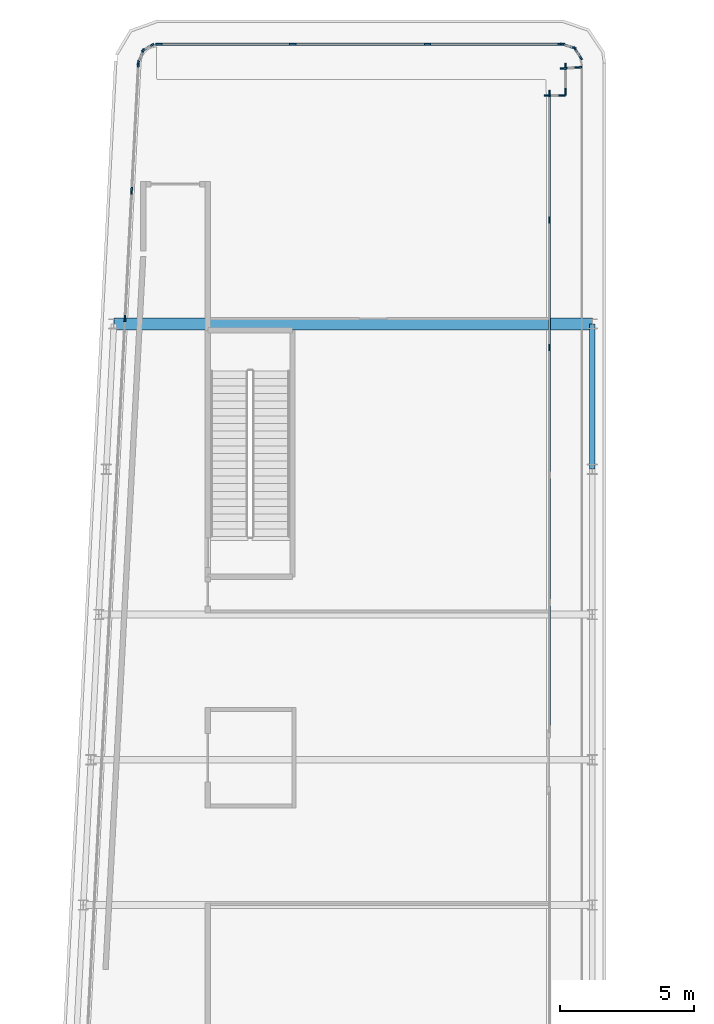
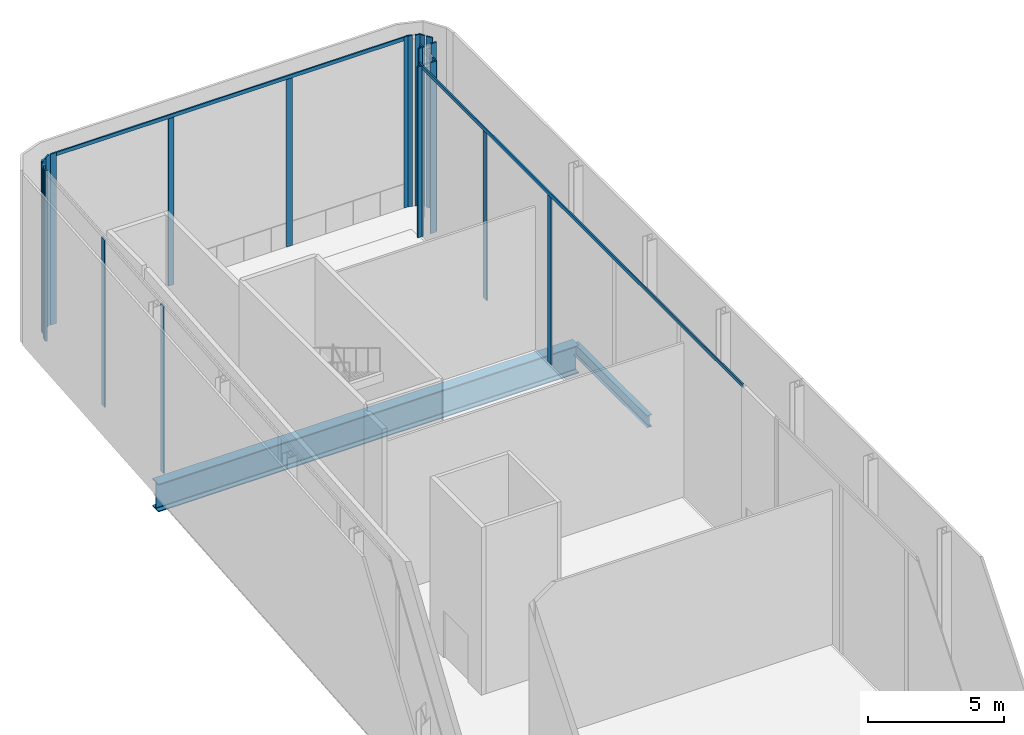
# One storey, part 12 of 28: 26 members, 2 beams, 10 elements without a shape of their own.
"""IFC4 building model written with IfcOpenShell, lengths in metres."""

from ifc_helpers import new_model, si_unit, direction, frame, origin, origin_2d, place, context, subcontext, project, spatial, rectangle, i_section, extrude, material, layer, layer_set, material_profile, profile_set, type_object, element, aggregate, save


model = new_model("IFC4")

# Units and contexts
model_context = context("Model", 3, precision=1e-05, world=origin(), true_north=direction((0.0, 1.0)))
body_context = subcontext(model_context, "Body", "Model", "MODEL_VIEW")
ifc_project = project(units=[si_unit("LENGTHUNIT", "METRE"), si_unit("AREAUNIT", "SQUARE_METRE"), si_unit("VOLUMEUNIT", "CUBIC_METRE"), si_unit("PLANEANGLEUNIT", "RADIAN"), si_unit("MASSUNIT", "GRAM", prefix="KILO")], contexts=[model_context])

# Site, building, storey
site_placement = place(None, origin())
site = spatial("IfcSite", under=ifc_project, at=site_placement, CompositionType="ELEMENT")
building_placement = place(site_placement, origin())
building = spatial("IfcBuilding", under=site, at=building_placement, Name="Kheshtan School and Residences Tower", CompositionType="ELEMENT")
storey_placement = place(building_placement, frame((0.0, 0.0, 325.39990234375)))
storey = spatial("IfcBuildingStorey", under=building, at=storey_placement, Name="L77", CompositionType="ELEMENT", Elevation=325.39990234375)

# Beam
ifc_material_1 = material(Name="Steel ASTM A992 Grade 50", Category="steel")
ifc_material_profile_1 = material_profile(ifc_material_1, i_section(OverallWidth=0.208984375, OverallDepth=0.532958984375, WebThickness=0.01025390625, FlangeThickness=0.015625, FilletRadius=0.013916015625, at=origin_2d()), Name="W530x92")
ifc_profile_set_1 = profile_set([ifc_material_profile_1], Name="Steel ASTM A992 Grade 50")
beam_type_1 = type_object("IfcBeamType", Name="Beam SP3 W530x92 ASTM A992 Grade 50", PredefinedType="BEAM", material=ifc_profile_set_1)
beam_1_placement = place(storey_placement, frame((47.60009765625, 88.800048828125, -0.41650390625), z_axis=(0.0, -1.0, 0.0), x_axis=(1.0, 0.0, 0.0)))
element("IfcBeam", 1, at=beam_1_placement, inside=storey, type_object=beam_type_1, Name="Spandrel beam C099-C091", PredefinedType="BEAM", context=body_context, shape_type="SweptSolid", body=[
    extrude(i_section(OverallWidth=0.208984375, OverallDepth=0.532958984375, WebThickness=0.01025390625, FlangeThickness=0.015625, FilletRadius=0.013916015625, at=origin_2d()), origin(), (0.0, 0.0, 1.0), 5.400146484375),
])

# Curtain wall, members
ifc_material_2 = material(Name="Clear low-e glass in thermally broken aluminium frame", Category="aluminium")
ifc_layer_1 = layer(ifc_material_2, 0.25)
ifc_layer_set_1 = layer_set([ifc_layer_1], Name="Curtain wall CW-G")
curtain_wall_type_1 = type_object("IfcCurtainWallType", Name="Curtain wall CW-G", PredefinedType="NOTDEFINED", material=ifc_layer_set_1)
curtain_wall_1_placement = place(storey_placement, origin())
curtain_wall_1 = element("IfcCurtainWall", 2, at=curtain_wall_1_placement, inside=storey, type_object=curtain_wall_type_1, Name="Curtain wall CWG15", PredefinedType="NOTDEFINED")
ifc_material_3 = material(Name="Thermally broken aluminium, dark bronze anodised", Category="aluminium")
ifc_material_profile_2 = material_profile(ifc_material_3, rectangle(XDim=0.06005859375, YDim=0.25, at=origin_2d()), Name="CW-G mullion 60x250")
ifc_profile_set_2 = profile_set([ifc_material_profile_2], Name="Thermally broken aluminium, dark bronze anodised")
member_type_1 = type_object("IfcMemberType", Name="CW-G mullion 60x250", PredefinedType="MULLION", material=ifc_profile_set_2)
member_1_placement = place(storey_placement, frame((46.0, 97.3701171875, 0.0), z_axis=(0.0, 0.0, 1.0), x_axis=(1.0, 0.0, 0.0)))
member_1 = element("IfcMember", 3, at=member_1_placement, type_object=member_type_1, Name="CWG15 mullion 1", PredefinedType="MULLION", context=body_context, shape_type="SweptSolid", body=[
    extrude(rectangle(XDim=0.06005859375, YDim=0.25, at=origin_2d()), origin(), (0.0, 0.0, 1.0), 7.650146484375),
])
member_2_placement = place(storey_placement, frame((46.0, 92.659912109375, 0.0), z_axis=(0.0, 0.0, 1.0), x_axis=(1.0, 0.0, 0.0)))
member_2 = element("IfcMember", 4, at=member_2_placement, type_object=member_type_1, Name="CWG15 mullion 2", PredefinedType="MULLION", context=body_context, shape_type="SweptSolid", body=[
    extrude(rectangle(XDim=0.06005859375, YDim=0.25, at=origin_2d()), origin(), (0.0, 0.0, 1.0), 7.489990234375),
])
member_3_placement = place(storey_placement, frame((46.0, 87.919921875, 0.0), z_axis=(0.0, 0.0, 1.0), x_axis=(1.0, 0.0, 0.0)))
member_3 = element("IfcMember", 5, at=member_3_placement, type_object=member_type_1, Name="CWG15 mullion 3", PredefinedType="MULLION", context=body_context, shape_type="SweptSolid", body=[
    extrude(rectangle(XDim=0.06005859375, YDim=0.25, at=origin_2d()), origin(), (0.0, 0.0, 1.0), 7.489990234375),
])
ifc_material_profile_3 = material_profile(ifc_material_3, rectangle(XDim=0.06005859375, YDim=0.159912109375, at=origin_2d()), Name="CW-G transom 60x160")
ifc_profile_set_3 = profile_set([ifc_material_profile_3], Name="Thermally broken aluminium, dark bronze anodised")
member_type_2 = type_object("IfcMemberType", Name="CW-G transom 60x160", PredefinedType="USERDEFINED", material=ifc_profile_set_3)
member_4_placement = place(storey_placement, frame((46.0, 97.340087890625, 7.570068359375), z_axis=(0.0, -1.0, 0.0), x_axis=(1.0, 0.0, 0.0)))
member_4 = element("IfcMember", 6, at=member_4_placement, type_object=member_type_2, Name="CWG15 transom 1", ObjectType="TRANSOM", PredefinedType="USERDEFINED", context=body_context, shape_type="SweptSolid", body=[
    extrude(rectangle(XDim=0.06005859375, YDim=0.159912109375, at=origin_2d()), origin(), (0.0, 0.0, 1.0), 23.580078125),
])
aggregate(curtain_wall_1, [member_1, member_2, member_3, member_4])

ifc_layer_2 = layer(ifc_material_2, 0.25)
ifc_layer_set_2 = layer_set([ifc_layer_2], Name="Curtain wall CW-K")
curtain_wall_type_2 = type_object("IfcCurtainWallType", Name="Curtain wall CW-K", PredefinedType="NOTDEFINED", material=ifc_layer_set_2)
curtain_wall_2_placement = place(storey_placement, origin())
curtain_wall_2 = element("IfcCurtainWall", 7, at=curtain_wall_2_placement, inside=storey, type_object=curtain_wall_type_2, Name="Curtain wall CWK6b", PredefinedType="NOTDEFINED")
ifc_material_profile_4 = material_profile(ifc_material_3, rectangle(XDim=0.06005859375, YDim=0.25, at=origin_2d()), Name="CW-K mullion 60x250")
ifc_profile_set_4 = profile_set([ifc_material_profile_4], Name="Thermally broken aluminium, dark bronze anodised")
member_type_3 = type_object("IfcMemberType", Name="CW-K mullion 60x250", PredefinedType="MULLION", material=ifc_profile_set_4)
member_5_placement = place(storey_placement, frame((30.221923828125, 89.001953125, 0.0), z_axis=(0.0, 0.0, 1.0), x_axis=(-0.998617497599, 0.05256513568, 0.0)))
member_5 = element("IfcMember", 8, at=member_5_placement, type_object=member_type_3, Name="CWK6b mullion 13", PredefinedType="MULLION", context=body_context, shape_type="SweptSolid", body=[
    extrude(rectangle(XDim=0.06005859375, YDim=0.25, at=origin_2d()), origin(), (0.0, 0.0, 1.0), 7.489990234375),
])
member_6_placement = place(storey_placement, frame((30.471923828125, 93.754150390625, 0.0), z_axis=(0.0, 0.0, 1.0), x_axis=(-0.998617497599, 0.05256513568, 0.0)))
member_6 = element("IfcMember", 9, at=member_6_placement, type_object=member_type_3, Name="CWK6b mullion 14", PredefinedType="MULLION", context=body_context, shape_type="SweptSolid", body=[
    extrude(rectangle(XDim=0.06005859375, YDim=0.25, at=origin_2d()), origin(), (0.0, 0.0, 1.0), 7.489990234375),
])
member_7_placement = place(storey_placement, frame((30.720458984375, 98.476318359375, 0.0), z_axis=(0.0, 0.0, 1.0), x_axis=(-0.998617497599, 0.05256513568, 0.0)))
member_7 = element("IfcMember", 10, at=member_7_placement, type_object=member_type_3, Name="CWK6b mullion 15", PredefinedType="MULLION", context=body_context, shape_type="SweptSolid", body=[
    extrude(rectangle(XDim=0.06005859375, YDim=0.25, at=origin_2d()), origin(), (0.0, 0.0, 1.0), 7.650146484375),
])
aggregate(curtain_wall_2, [member_5, member_6, member_7])

curtain_wall_3_placement = place(storey_placement, origin())
curtain_wall_3 = element("IfcCurtainWall", 11, at=curtain_wall_3_placement, inside=storey, type_object=curtain_wall_type_2, Name="Curtain wall CWK7b", PredefinedType="NOTDEFINED")
member_8_placement = place(storey_placement, frame((30.740234375, 98.56591796875, 0.0), z_axis=(0.0, 0.0, 1.0), x_axis=(-0.928635523576, 0.370993348125, 0.0)))
member_8 = element("IfcMember", 12, at=member_8_placement, type_object=member_type_3, Name="CWK7b mullion 1", PredefinedType="MULLION", context=body_context, shape_type="SweptSolid", body=[
    extrude(rectangle(XDim=0.06005859375, YDim=0.25, at=origin_2d()), origin(), (0.0, 0.0, 1.0), 7.650146484375),
])
member_9_placement = place(storey_placement, frame((30.87890625, 98.913330078125, 0.0), z_axis=(0.0, 0.0, 1.0), x_axis=(-0.928635523576, 0.370993348125, 0.0)))
member_9 = element("IfcMember", 13, at=member_9_placement, type_object=member_type_3, Name="CWK7b mullion 2", PredefinedType="MULLION", context=body_context, shape_type="SweptSolid", body=[
    extrude(rectangle(XDim=0.06005859375, YDim=0.25, at=origin_2d()), origin(), (0.0, 0.0, 1.0), 7.650146484375),
])
aggregate(curtain_wall_3, [member_8, member_9])

curtain_wall_4_placement = place(storey_placement, origin())
curtain_wall_4 = element("IfcCurtainWall", 14, at=curtain_wall_4_placement, inside=storey, type_object=curtain_wall_type_2, Name="Curtain wall CWK8b", PredefinedType="NOTDEFINED")
member_10_placement = place(storey_placement, frame((30.9560546875, 99.0048828125, 0.0), z_axis=(0.0, 0.0, 1.0), x_axis=(-0.52392646803, 0.851763497749, 0.0)))
member_10 = element("IfcMember", 15, at=member_10_placement, type_object=member_type_3, Name="CWK8b mullion 1", PredefinedType="MULLION", context=body_context, shape_type="SweptSolid", body=[
    extrude(rectangle(XDim=0.06005859375, YDim=0.25, at=origin_2d()), origin(), (0.0, 0.0, 1.0), 7.650146484375),
])
member_11_placement = place(storey_placement, frame((31.18310546875, 99.14453125, 0.0), z_axis=(0.0, 0.0, 1.0), x_axis=(-0.52392646803, 0.851763497749, 0.0)))
member_11 = element("IfcMember", 16, at=member_11_placement, type_object=member_type_3, Name="CWK8b mullion 2", PredefinedType="MULLION", context=body_context, shape_type="SweptSolid", body=[
    extrude(rectangle(XDim=0.06005859375, YDim=0.25, at=origin_2d()), origin(), (0.0, 0.0, 1.0), 7.650146484375),
])
aggregate(curtain_wall_4, [member_10, member_11])

curtain_wall_5_placement = place(storey_placement, origin())
curtain_wall_5 = element("IfcCurtainWall", 17, at=curtain_wall_5_placement, inside=storey, type_object=curtain_wall_type_2, Name="Curtain wall CWK9b", PredefinedType="NOTDEFINED")
member_12_placement = place(storey_placement, frame((31.48388671875, 99.199951171875, 0.0), z_axis=(0.0, 0.0, 1.0), x_axis=(0.0, 1.0, 0.0)))
member_12 = element("IfcMember", 18, at=member_12_placement, type_object=member_type_3, Name="CWK9b mullion 1", PredefinedType="MULLION", context=body_context, shape_type="SweptSolid", body=[
    extrude(rectangle(XDim=0.06005859375, YDim=0.25, at=origin_2d()), origin(), (0.0, 0.0, 1.0), 7.650146484375),
])
member_13_placement = place(storey_placement, frame((36.459228515625, 99.199951171875, 0.0), z_axis=(0.0, 0.0, 1.0), x_axis=(0.0, 1.0, 0.0)))
member_13 = element("IfcMember", 19, at=member_13_placement, type_object=member_type_3, Name="CWK9b mullion 2", PredefinedType="MULLION", context=body_context, shape_type="SweptSolid", body=[
    extrude(rectangle(XDim=0.06005859375, YDim=0.25, at=origin_2d()), origin(), (0.0, 0.0, 1.0), 7.489990234375),
])
member_14_placement = place(storey_placement, frame((41.464599609375, 99.199951171875, 0.0), z_axis=(0.0, 0.0, 1.0), x_axis=(0.0, 1.0, 0.0)))
member_14 = element("IfcMember", 20, at=member_14_placement, type_object=member_type_3, Name="CWK9b mullion 3", PredefinedType="MULLION", context=body_context, shape_type="SweptSolid", body=[
    extrude(rectangle(XDim=0.06005859375, YDim=0.25, at=origin_2d()), origin(), (0.0, 0.0, 1.0), 7.489990234375),
])
member_15_placement = place(storey_placement, frame((46.43994140625, 99.199951171875, 0.0), z_axis=(0.0, 0.0, 1.0), x_axis=(0.0, 1.0, 0.0)))
member_15 = element("IfcMember", 21, at=member_15_placement, type_object=member_type_3, Name="CWK9b mullion 4", PredefinedType="MULLION", context=body_context, shape_type="SweptSolid", body=[
    extrude(rectangle(XDim=0.06005859375, YDim=0.25, at=origin_2d()), origin(), (0.0, 0.0, 1.0), 7.650146484375),
])

curtain_wall_6_placement = place(storey_placement, origin())
curtain_wall_6 = element("IfcCurtainWall", 22, at=curtain_wall_6_placement, inside=storey, type_object=curtain_wall_type_2, Name="Curtain wall CWK10b", PredefinedType="NOTDEFINED")
member_16_placement = place(storey_placement, frame((46.529052734375, 99.18603515625, 0.0), z_axis=(0.0, 0.0, 1.0), x_axis=(0.303900450271, 0.952703792543, 0.0)))
member_16 = element("IfcMember", 23, at=member_16_placement, type_object=member_type_3, Name="CWK10b mullion 1", PredefinedType="MULLION", context=body_context, shape_type="SweptSolid", body=[
    extrude(rectangle(XDim=0.06005859375, YDim=0.25, at=origin_2d()), origin(), (0.0, 0.0, 1.0), 7.650146484375),
])
member_17_placement = place(storey_placement, frame((46.86669921875, 99.078369140625, 0.0), z_axis=(0.0, 0.0, 1.0), x_axis=(0.303900450271, 0.952703792543, 0.0)))
member_17 = element("IfcMember", 24, at=member_17_placement, type_object=member_type_3, Name="CWK10b mullion 2", PredefinedType="MULLION", context=body_context, shape_type="SweptSolid", body=[
    extrude(rectangle(XDim=0.06005859375, YDim=0.25, at=origin_2d()), origin(), (0.0, 0.0, 1.0), 7.650146484375),
])
aggregate(curtain_wall_6, [member_16, member_17])

curtain_wall_7_placement = place(storey_placement, origin())
curtain_wall_7 = element("IfcCurtainWall", 25, at=curtain_wall_7_placement, inside=storey, type_object=curtain_wall_type_2, Name="Curtain wall CWK11b", PredefinedType="NOTDEFINED")
member_18_placement = place(storey_placement, frame((46.96484375, 99.004638671875, 0.0), z_axis=(0.0, 0.0, 1.0), x_axis=(0.831648992198, 0.555301678168, 0.0)))
member_18 = element("IfcMember", 26, at=member_18_placement, type_object=member_type_3, Name="CWK11b mullion 1", PredefinedType="MULLION", context=body_context, shape_type="SweptSolid", body=[
    extrude(rectangle(XDim=0.06005859375, YDim=0.25, at=origin_2d()), origin(), (0.0, 0.0, 1.0), 7.650146484375),
])
member_19_placement = place(storey_placement, frame((47.14453125, 98.735595703125, 0.0), z_axis=(0.0, 0.0, 1.0), x_axis=(0.831648992198, 0.555301678168, 0.0)))
member_19 = element("IfcMember", 27, at=member_19_placement, type_object=member_type_3, Name="CWK11b mullion 2", PredefinedType="MULLION", context=body_context, shape_type="SweptSolid", body=[
    extrude(rectangle(XDim=0.06005859375, YDim=0.25, at=origin_2d()), origin(), (0.0, 0.0, 1.0), 7.650146484375),
])
aggregate(curtain_wall_7, [member_18, member_19])

curtain_wall_8_placement = place(storey_placement, origin())
curtain_wall_8 = element("IfcCurtainWall", 28, at=curtain_wall_8_placement, inside=storey, type_object=curtain_wall_type_2, Name="Curtain wall CWK12b", PredefinedType="NOTDEFINED")
member_20_placement = place(storey_placement, frame((47.07666015625, 98.33837890625, 0.0), z_axis=(0.0, 0.0, 1.0), x_axis=(0.06486312108, -0.997894170503, 0.0)))
member_20 = element("IfcMember", 29, at=member_20_placement, type_object=member_type_3, Name="CWK12b mullion 1", PredefinedType="MULLION", context=body_context, shape_type="SweptSolid", body=[
    extrude(rectangle(XDim=0.06005859375, YDim=0.25, at=origin_2d()), origin(), (0.0, 0.0, 1.0), 7.650146484375),
])
member_21_placement = place(storey_placement, frame((46.536376953125, 98.30322265625, 0.0), z_axis=(0.0, 0.0, 1.0), x_axis=(0.06486312108, -0.997894170503, 0.0)))
member_21 = element("IfcMember", 30, at=member_21_placement, type_object=member_type_3, Name="CWK12b mullion 2", PredefinedType="MULLION", context=body_context, shape_type="SweptSolid", body=[
    extrude(rectangle(XDim=0.06005859375, YDim=0.25, at=origin_2d()), origin(), (0.0, 0.0, 1.0), 7.650146484375),
])
aggregate(curtain_wall_8, [member_20, member_21])

curtain_wall_9_placement = place(storey_placement, origin())
curtain_wall_9 = element("IfcCurtainWall", 31, at=curtain_wall_9_placement, inside=storey, type_object=curtain_wall_type_2, Name="Curtain wall CWK13b", PredefinedType="NOTDEFINED")
member_22_placement = place(storey_placement, frame((46.60009765625, 98.37109375, 0.0), z_axis=(0.0, 0.0, 1.0), x_axis=(1.0, 0.0, 0.0)))
member_22 = element("IfcMember", 32, at=member_22_placement, type_object=member_type_3, Name="CWK13b mullion 1", PredefinedType="MULLION", context=body_context, shape_type="SweptSolid", body=[
    extrude(rectangle(XDim=0.06005859375, YDim=0.25, at=origin_2d()), origin(), (0.0, 0.0, 1.0), 7.650146484375),
])
member_23_placement = place(storey_placement, frame((46.60009765625, 97.429931640625, 0.0), z_axis=(0.0, 0.0, 1.0), x_axis=(1.0, 0.0, 0.0)))
member_23 = element("IfcMember", 33, at=member_23_placement, type_object=member_type_3, Name="CWK13b mullion 2", PredefinedType="MULLION", context=body_context, shape_type="SweptSolid", body=[
    extrude(rectangle(XDim=0.06005859375, YDim=0.25, at=origin_2d()), origin(), (0.0, 0.0, 1.0), 7.650146484375),
])
aggregate(curtain_wall_9, [member_22, member_23])

curtain_wall_10_placement = place(storey_placement, origin())
curtain_wall_10 = element("IfcCurtainWall", 34, at=curtain_wall_10_placement, inside=storey, type_object=curtain_wall_type_2, Name="Curtain wall CWK14b", PredefinedType="NOTDEFINED")
member_24_placement = place(storey_placement, frame((46.469970703125, 97.300048828125, 0.0), z_axis=(0.0, 0.0, 1.0), x_axis=(0.0, -1.0, 0.0)))
member_24 = element("IfcMember", 35, at=member_24_placement, type_object=member_type_3, Name="CWK14b mullion 1", PredefinedType="MULLION", context=body_context, shape_type="SweptSolid", body=[
    extrude(rectangle(XDim=0.06005859375, YDim=0.25, at=origin_2d()), origin(), (0.0, 0.0, 1.0), 7.650146484375),
])
member_25_placement = place(storey_placement, frame((45.929931640625, 97.300048828125, 0.0), z_axis=(0.0, 0.0, 1.0), x_axis=(0.0, -1.0, 0.0)))
member_25 = element("IfcMember", 36, at=member_25_placement, type_object=member_type_3, Name="CWK14b mullion 2", PredefinedType="MULLION", context=body_context, shape_type="SweptSolid", body=[
    extrude(rectangle(XDim=0.06005859375, YDim=0.25, at=origin_2d()), origin(), (0.0, 0.0, 1.0), 7.650146484375),
])
aggregate(curtain_wall_10, [member_24, member_25])

# Member
ifc_material_profile_5 = material_profile(ifc_material_3, rectangle(XDim=0.06005859375, YDim=0.159912109375, at=origin_2d()), Name="CW-K transom 60x160")
ifc_profile_set_5 = profile_set([ifc_material_profile_5], Name="Thermally broken aluminium, dark bronze anodised")
member_type_4 = type_object("IfcMemberType", Name="CW-K transom 60x160", PredefinedType="USERDEFINED", material=ifc_profile_set_5)
member_26_placement = place(storey_placement, frame((31.513916015625, 99.199951171875, 7.570068359375), z_axis=(1.0, 0.0, 0.0), x_axis=(0.0, 1.0, 0.0)))
member_26 = element("IfcMember", 37, at=member_26_placement, type_object=member_type_4, Name="CWK9b transom 1", ObjectType="TRANSOM", PredefinedType="USERDEFINED", context=body_context, shape_type="SweptSolid", body=[
    extrude(rectangle(XDim=0.06005859375, YDim=0.159912109375, at=origin_2d()), origin(), (0.0, 0.0, 1.0), 14.89599609375),
])

aggregate(curtain_wall_5, [member_12, member_13, member_14, member_15, member_26])

# Beam
ifc_material_profile_6 = material_profile(ifc_material_1, i_section(OverallWidth=0.449951171875, OverallDepth=1.25, WebThickness=0.02490234375, FlangeThickness=0.044921875, FilletRadius=0.03759765625, at=origin_2d()), Name="WWF1250x546")
ifc_profile_set_6 = profile_set([ifc_material_profile_6], Name="Steel ASTM A992 Grade 50")
beam_type_2 = type_object("IfcBeamType", Name="Transfer girder TG4 WWF1250x546 ASTM A992 Grade 50", PredefinedType="BEAM", material=ifc_profile_set_6)
beam_2_placement = place(storey_placement, frame((29.81103515625, 88.800048828125, -0.77490234375), z_axis=(1.0, 0.0, 0.0), x_axis=(0.0, 1.0, 0.0)))
element("IfcBeam", 38, at=beam_2_placement, inside=storey, type_object=beam_type_2, Name="Transfer girder C098-C099", PredefinedType="BEAM", context=body_context, shape_type="SweptSolid", body=[
    extrude(i_section(OverallWidth=0.449951171875, OverallDepth=1.25, WebThickness=0.02490234375, FlangeThickness=0.044921875, FilletRadius=0.03759765625, at=origin_2d()), origin(), (0.0, 0.0, 1.0), 17.7890625),
])

save(model, "model.ifc")
